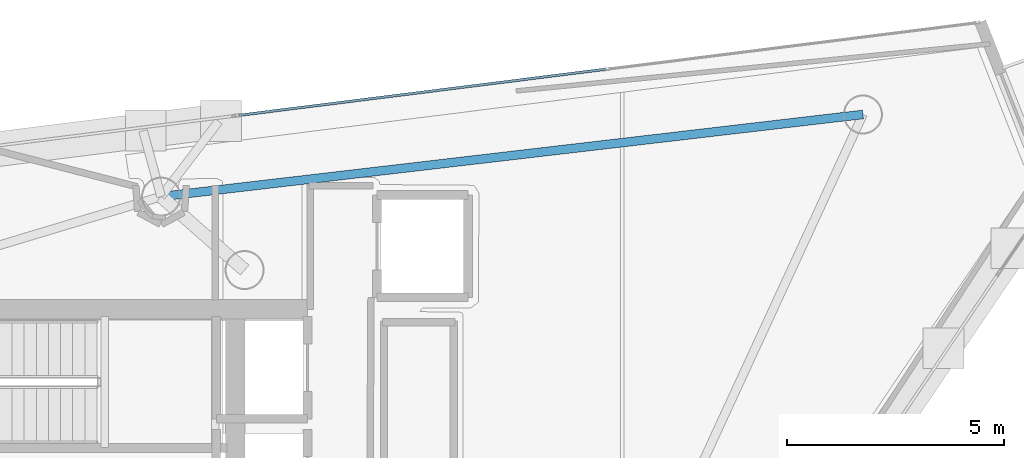
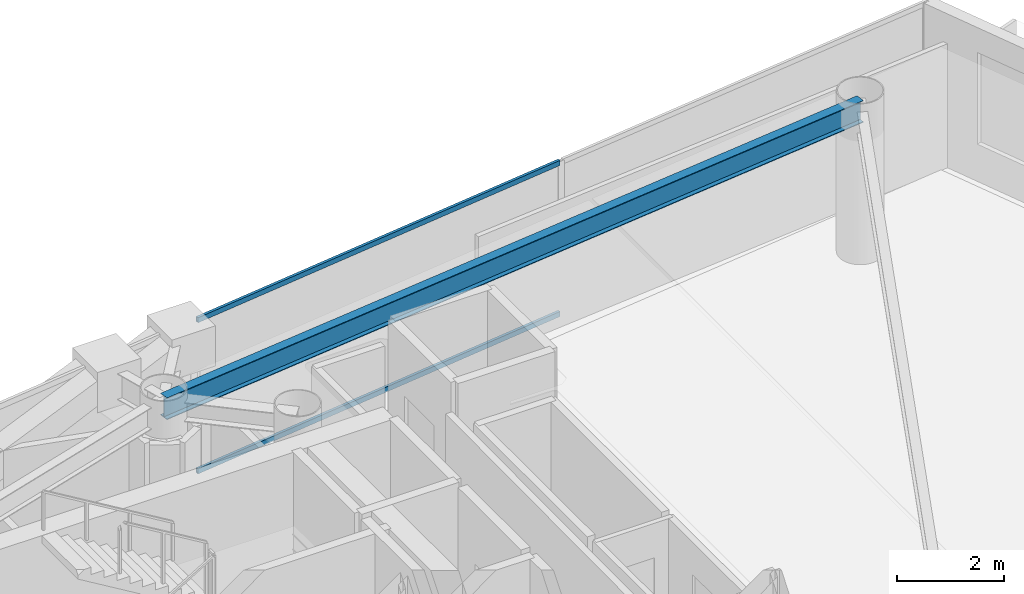
# One storey, part 15 of 23: 2 members, 1 beam, 1 element without a shape of its own.
"""IFC4 building model written with IfcOpenShell, lengths in metres."""

import ifcopenshell
import ifcopenshell.guid

model = None  # the IFC model being written
_history = None  # IfcOwnerHistory: only IFC2X3 demands one
_inside = {}  # id of a spatial element -> (the spatial element, [elements in it])
_under = {}  # id of a project, library or spatial element -> (it, [spatial elements below it])
_declared = {}  # id of a project -> (the project, [libraries it declares])
_typed = {}  # id of a type object -> (the type object, [elements of that type])
_made_of = {}  # id of a material, layer set ... -> (it, [elements and type objects made of it])


def new_model(schema):
    """Start an empty IFC model of exactly this schema.

    Asked for "IFC4X3", IfcOpenShell would pick the latest addendum, in which some entities
    have other attributes; the version numbers below select the first issue.
    IFC2X3 requires an IfcOwnerHistory on every rooted entity: one is made here for all.
    """
    global model, _history
    if schema == "IFC4X3":
        model = ifcopenshell.file(schema_version=(4, 3, 0, 0))
    else:
        model = ifcopenshell.file(schema=schema)
    _inside.clear()
    _under.clear()
    _declared.clear()
    _typed.clear()
    _made_of.clear()
    _history = None
    if model.schema == "IFC2X3":
        org = make("IfcOrganization", Name="unknown")
        user = make(
            "IfcPersonAndOrganization",
            ThePerson=make("IfcPerson", FamilyName="unknown"),
            TheOrganization=org,
        )
        app = make(
            "IfcApplication",
            ApplicationDeveloper=org,
            Version="unknown",
            ApplicationFullName="unknown",
            ApplicationIdentifier="unknown",
        )
        _history = make(
            "IfcOwnerHistory",
            OwningUser=user,
            OwningApplication=app,
            ChangeAction="ADDED",
            CreationDate=0,
        )
    return model


def make(cls, **values):
    """One entity of the class cls with the attributes given. An attribute that is None is left unset."""
    return model.create_entity(
        cls, **{name: value for name, value in values.items() if value is not None}
    )


def rooted(cls, **values):
    """An entity with a GlobalId (a new one), such as an element, a storey or a relation."""
    return make(cls, GlobalId=ifcopenshell.guid.new(), OwnerHistory=_history, **values)


def si_unit(unit_type, name, prefix=None):
    """IfcSIUnit, for example si_unit("LENGTHUNIT", "METRE", prefix="MILLI")."""
    return make("IfcSIUnit", UnitType=unit_type, Prefix=prefix, Name=name)


def assignment(units):
    """IfcUnitAssignment: the units of a project."""
    return None if units is None else make("IfcUnitAssignment", Units=units)


def point(xyz):
    """IfcCartesianPoint."""
    return None if xyz is None else make("IfcCartesianPoint", Coordinates=xyz)


def direction(xyz):
    """IfcDirection."""
    return None if xyz is None else make("IfcDirection", DirectionRatios=xyz)


def frame(location, z_axis=None, x_axis=None):
    """IfcAxis2Placement3D, a coordinate frame: its origin and axes. An axis left out is left unset."""
    return make(
        "IfcAxis2Placement3D",
        Location=point(location),
        Axis=direction(z_axis),
        RefDirection=direction(x_axis),
    )


def frame_2d(location, x_axis=None):
    """IfcAxis2Placement2D, a coordinate frame in the plane: its origin and x axis."""
    return make(
        "IfcAxis2Placement2D", Location=point(location), RefDirection=direction(x_axis)
    )


def origin():
    """The frame at (0, 0, 0) with its axes left unset."""
    return frame((0.0, 0.0, 0.0))


def origin_2d():
    """The frame at (0, 0) in the plane with its x axis left unset."""
    return frame_2d((0.0, 0.0))


def place(relative_to, where):
    """IfcLocalPlacement: puts the frame where relative to a parent placement (None: the world)."""
    return make(
        "IfcLocalPlacement", PlacementRelTo=relative_to, RelativePlacement=where
    )


def context(
    kind, dimensions, precision=None, world=None, true_north=None, identifier=None
):
    """IfcGeometricRepresentationContext, for example the 3D "Model" context."""
    return make(
        "IfcGeometricRepresentationContext",
        ContextIdentifier=identifier,
        ContextType=kind,
        CoordinateSpaceDimension=dimensions,
        Precision=precision,
        WorldCoordinateSystem=world,
        TrueNorth=true_north,
    )


def subcontext(parent, identifier, kind, view, scale=None):
    """IfcGeometricRepresentationSubContext, for example "Body" below "Model"."""
    return make(
        "IfcGeometricRepresentationSubContext",
        ContextIdentifier=identifier,
        ContextType=kind,
        ParentContext=parent,
        TargetScale=scale,
        TargetView=view,
    )


def project(units=None, contexts=None):
    """IfcProject with its units and contexts."""
    return rooted(
        "IfcProject",
        Name="project",
        RepresentationContexts=contexts,
        UnitsInContext=assignment(units),
    )


def spatial(cls, under=None, at=None, **own):
    """A site, building, storey or space (cls), placed at a placement, below another one or the project."""
    s = rooted(cls, ObjectPlacement=at, **own)
    if under is not None:
        _under.setdefault(under.id(), (under, []))[1].append(s)
    return s


def profile(cls, at=None, kind="AREA", **sizes):
    """A parametric profile (cls). Its sizes go by their IFC names, for example OverallWidth=200.0."""
    return make(cls, ProfileType=kind, Position=at, **sizes)


def hollow_rectangle(**sizes):
    """IfcRectangleHollowProfileDef."""
    return profile("IfcRectangleHollowProfileDef", **sizes)


def i_section(**sizes):
    """IfcIShapeProfileDef."""
    return profile("IfcIShapeProfileDef", **sizes)


def extrude(swept, where, along, depth):
    """IfcExtrudedAreaSolid: the profile swept, set in the frame where, extruded along a direction by depth."""
    return make(
        "IfcExtrudedAreaSolid",
        SweptArea=swept,
        Position=where,
        ExtrudedDirection=direction(along),
        Depth=depth,
    )


def shape(context_of_items, identifier, shape_type, items):
    """IfcShapeRepresentation: the items that make up one representation, for example the "Body"."""
    return make(
        "IfcShapeRepresentation",
        ContextOfItems=context_of_items,
        RepresentationIdentifier=identifier,
        RepresentationType=shape_type,
        Items=items,
    )


def material(Name=None, Category=None):
    """IfcMaterial."""
    return make("IfcMaterial", Name=Name, Category=Category)


def layer(
    of_material, thickness, ventilated=None, Name=None, Category=None, Priority=None
):
    """IfcMaterialLayer: one layer of a wall or slab, of a material (None: an air gap)."""
    return make(
        "IfcMaterialLayer",
        Material=of_material,
        LayerThickness=thickness,
        IsVentilated=ventilated,
        Name=Name,
        Category=Category,
        Priority=Priority,
    )


def layer_set(layers, Name=None):
    """IfcMaterialLayerSet."""
    return make("IfcMaterialLayerSet", MaterialLayers=layers, LayerSetName=Name)


def material_profile(
    of_material, cross_section, Name=None, Category=None, Priority=None
):
    """IfcMaterialProfile: a cross section and its material."""
    return make(
        "IfcMaterialProfile",
        Name=Name,
        Material=of_material,
        Profile=cross_section,
        Priority=Priority,
        Category=Category,
    )


def profile_set(profiles, Name=None, composite=None):
    """IfcMaterialProfileSet."""
    return make(
        "IfcMaterialProfileSet",
        Name=Name,
        MaterialProfiles=profiles,
        CompositeProfile=composite,
    )


def made_of(thing, what):
    """Note that an element or type object is made of a material, layer set ...; save() writes the relation."""
    if what is not None:
        _made_of.setdefault(what.id(), (what, []))[1].append(thing)
    return thing


def type_object(cls, material=None, **own):
    """A type object (cls), such as IfcWallType, which elements share."""
    return made_of(rooted(cls, **own), material)


def element(
    cls,
    number,
    at=None,
    inside=None,
    cuts=None,
    type_object=None,
    material=None,
    context=None,
    identifier="Body",
    shape_type=None,
    held_by="IfcProductDefinitionShape",
    body=None,
    shapes=None,
    **own,
):
    """One element of the class cls, such as IfcWall. Its Tag is "e" and its number.

    at: its placement. inside: the storey or other place that contains it. cuts: it is an
    opening in that element (IfcRelVoidsElement). A single representation is given by context,
    identifier, shape_type and body (its items); several are given by shapes. held_by: the class
    of the entity that holds the representations. save() writes the other relations.
    """
    e = rooted(cls, Tag="e%d" % number, ObjectPlacement=at, **own)
    if body is not None:
        shapes = [shape(context, identifier, shape_type, body)]
    if shapes is not None:
        e.Representation = make(held_by, Representations=shapes)
    if inside is not None:
        _inside.setdefault(inside.id(), (inside, []))[1].append(e)
    if cuts is not None:
        rooted(
            "IfcRelVoidsElement", RelatingBuildingElement=cuts, RelatedOpeningElement=e
        )
    if type_object is not None:
        _typed.setdefault(type_object.id(), (type_object, []))[1].append(e)
    return made_of(e, material)


def aggregate(whole, parts):
    """IfcRelAggregates: a whole, such as a stair, and the parts it consists of."""
    return rooted("IfcRelAggregates", RelatingObject=whole, RelatedObjects=parts)


def save(model, path):
    """Write the relations noted so far, then the file.

    IfcRelAggregates (storeys below a building ...), IfcRelContainedInSpatialStructure (elements
    in a storey), IfcRelDefinesByType, IfcRelAssociatesMaterial and IfcRelDeclares: one each for
    every whole, place, type object, material and project.
    """
    for whole, parts in _under.values():
        aggregate(whole, parts)
    for where, things in _inside.values():
        rooted(
            "IfcRelContainedInSpatialStructure",
            RelatedElements=things,
            RelatingStructure=where,
        )
    for kind, things in _typed.values():
        rooted("IfcRelDefinesByType", RelatedObjects=things, RelatingType=kind)
    for what, things in _made_of.values():
        rooted("IfcRelAssociatesMaterial", RelatedObjects=things, RelatingMaterial=what)
    for by, libraries in _declared.values():
        rooted("IfcRelDeclares", RelatingContext=by, RelatedDefinitions=libraries)
    model.write(path)


model = new_model("IFC4")

# Units and contexts
model_context = context("Model", 3, precision=1e-05, world=origin(), true_north=direction((0.0, 1.0)))
body_context = subcontext(model_context, "Body", "Model", "MODEL_VIEW")
ifc_project = project(units=[si_unit("LENGTHUNIT", "METRE"), si_unit("AREAUNIT", "SQUARE_METRE"), si_unit("VOLUMEUNIT", "CUBIC_METRE"), si_unit("PLANEANGLEUNIT", "RADIAN"), si_unit("MASSUNIT", "GRAM", prefix="KILO")], contexts=[model_context])

# Site, building, storey
site_placement = place(None, origin())
site = spatial("IfcSite", under=ifc_project, at=site_placement, CompositionType="ELEMENT")
building_placement = place(site_placement, origin())
building = spatial("IfcBuilding", under=site, at=building_placement, Name="Qianvela Tower", CompositionType="ELEMENT")
storey_placement = place(building_placement, frame((0.0, 0.0, 284.300048828125)))
storey = spatial("IfcBuildingStorey", under=building, at=storey_placement, Name="L73", CompositionType="ELEMENT", Elevation=284.300048828125)

# Beam
ifc_material_1 = material(Name="Steel Q355B", Category="steel")
ifc_material_profile_1 = material_profile(ifc_material_1, i_section(OverallWidth=0.199951171875, OverallDepth=0.5, WebThickness=0.010009765625, FlangeThickness=0.01611328125, at=origin_2d()), Name="HN500x200x10x16")
ifc_profile_set_1 = profile_set([ifc_material_profile_1], Name="Steel Q355B")
beam_type = type_object("IfcBeamType", Name="BM-HN500-GIRD", PredefinedType="BEAM", material=ifc_profile_set_1)
beam_placement = place(storey_placement, frame((52.64794921875, 37.135009765625, 3.26806640625), z_axis=(-0.993225117092, -0.116206139153, 0.0), x_axis=(0.116206139153, -0.993225117092, 0.0)))
element("IfcBeam", 1, at=beam_placement, inside=storey, type_object=beam_type, Name="L73 Perimeter Ring Spandrel Girder 1", PredefinedType="BEAM", context=body_context, shape_type="SweptSolid", body=[
    extrude(i_section(OverallWidth=0.199951171875, OverallDepth=0.5, WebThickness=0.010009765625, FlangeThickness=0.01611328125, at=origin_2d()), origin(), (0.0, 0.0, 1.0), 16.2822265625),
])

# Curtain wall, members
ifc_material_2 = material(Name="Anodised Architectural Aluminium and Low-E Glass", Category="aluminium")
ifc_layer = layer(ifc_material_2, 0.14990234375)
ifc_layer_set = layer_set([ifc_layer], Name="Anodised Architectural Aluminium and Low-E Glass")
curtain_wall_type = type_object("IfcCurtainWallType", Name="CW-COLIV-Z78", PredefinedType="USERDEFINED", material=ifc_layer_set)
curtain_wall_placement = place(storey_placement, origin())
curtain_wall = element("IfcCurtainWall", 2, at=curtain_wall_placement, inside=storey, type_object=curtain_wall_type, Name="L73 CW-COLIV-Z78 Curtain Wall 02A", ObjectType="CURTAIN_WALL_SYSTEM", PredefinedType="USERDEFINED")
ifc_material_3 = material(Name="Anodised Architectural Aluminium 6063-T6", Category="aluminium")
ifc_material_profile_2 = material_profile(ifc_material_3, hollow_rectangle(XDim=0.06005859375, YDim=0.114990234375, WallThickness=0.00390625, at=origin_2d()), Name="ALU-TRAN-60x115")
ifc_profile_set_2 = profile_set([ifc_material_profile_2], Name="Anodised Architectural Aluminium 6063-T6")
member_type = type_object("IfcMemberType", Name="CW-COLIV-Z78-TRAN", PredefinedType="USERDEFINED", material=ifc_profile_set_2)
member_1_placement = place(storey_placement, frame((46.7333984375, 38.1796875, 0.030029296875), z_axis=(-0.992186798395, -0.12476120026, 0.0), x_axis=(0.12476120026, -0.992186798395, 0.0)))
member_1 = element("IfcMember", 3, at=member_1_placement, type_object=member_type, Name="CW-6 transom 2.1", ObjectType="TRANSOM", PredefinedType="USERDEFINED", context=body_context, shape_type="SweptSolid", body=[
    extrude(hollow_rectangle(XDim=0.06005859375, YDim=0.114990234375, WallThickness=0.00390625, at=origin_2d()), origin(), (0.0, 0.0, 1.0), 8.520263671875),
])
member_2_placement = place(storey_placement, frame((46.7333984375, 38.1796875, 3.489990234375), z_axis=(-0.992186798395, -0.12476120026, 0.0), x_axis=(0.12476120026, -0.992186798395, 0.0)))
member_2 = element("IfcMember", 4, at=member_2_placement, type_object=member_type, Name="CW-6 transom 2.2", ObjectType="TRANSOM", PredefinedType="USERDEFINED", context=body_context, shape_type="SweptSolid", body=[
    extrude(hollow_rectangle(XDim=0.06005859375, YDim=0.114990234375, WallThickness=0.00390625, at=origin_2d()), origin(), (0.0, 0.0, 1.0), 8.520263671875),
])
aggregate(curtain_wall, [member_1, member_2])

save(model, "model.ifc")
